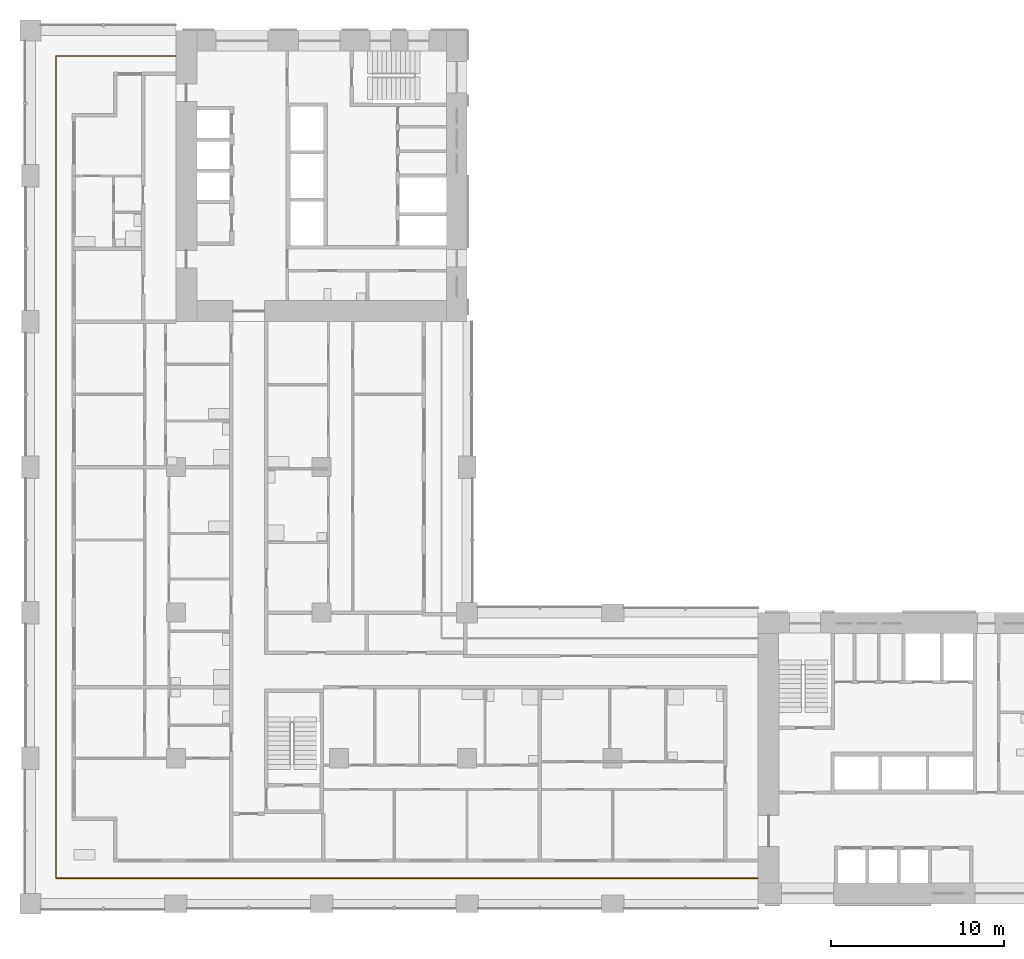
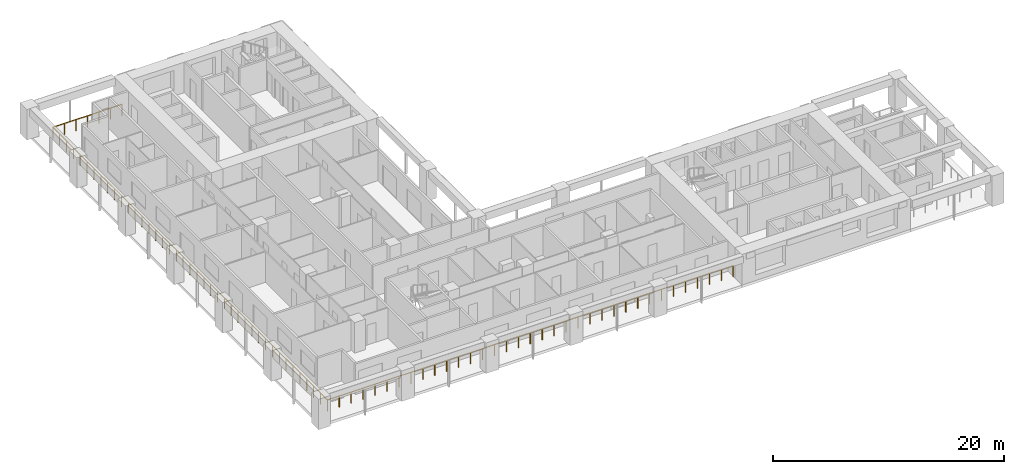
# One storey, part 10 of 17: 1 railing.
"""IFC4 building model written with IfcOpenShell, lengths in metres."""

import ifcopenshell
import ifcopenshell.guid

model = None  # the IFC model being written
_history = None  # IfcOwnerHistory: only IFC2X3 demands one
_inside = {}  # id of a spatial element -> (the spatial element, [elements in it])
_under = {}  # id of a project, library or spatial element -> (it, [spatial elements below it])
_declared = {}  # id of a project -> (the project, [libraries it declares])
_typed = {}  # id of a type object -> (the type object, [elements of that type])
_made_of = {}  # id of a material, layer set ... -> (it, [elements and type objects made of it])


def new_model(schema):
    """Start an empty IFC model of exactly this schema.

    Asked for "IFC4X3", IfcOpenShell would pick the latest addendum, in which some entities
    have other attributes; the version numbers below select the first issue.
    IFC2X3 requires an IfcOwnerHistory on every rooted entity: one is made here for all.
    """
    global model, _history
    if schema == "IFC4X3":
        model = ifcopenshell.file(schema_version=(4, 3, 0, 0))
    else:
        model = ifcopenshell.file(schema=schema)
    _inside.clear()
    _under.clear()
    _declared.clear()
    _typed.clear()
    _made_of.clear()
    _history = None
    if model.schema == "IFC2X3":
        org = make("IfcOrganization", Name="unknown")
        user = make(
            "IfcPersonAndOrganization",
            ThePerson=make("IfcPerson", FamilyName="unknown"),
            TheOrganization=org,
        )
        app = make(
            "IfcApplication",
            ApplicationDeveloper=org,
            Version="unknown",
            ApplicationFullName="unknown",
            ApplicationIdentifier="unknown",
        )
        _history = make(
            "IfcOwnerHistory",
            OwningUser=user,
            OwningApplication=app,
            ChangeAction="ADDED",
            CreationDate=0,
        )
    return model


def make(cls, **values):
    """One entity of the class cls with the attributes given. An attribute that is None is left unset."""
    return model.create_entity(
        cls, **{name: value for name, value in values.items() if value is not None}
    )


def rooted(cls, **values):
    """An entity with a GlobalId (a new one), such as an element, a storey or a relation."""
    return make(cls, GlobalId=ifcopenshell.guid.new(), OwnerHistory=_history, **values)


def si_unit(unit_type, name, prefix=None):
    """IfcSIUnit, for example si_unit("LENGTHUNIT", "METRE", prefix="MILLI")."""
    return make("IfcSIUnit", UnitType=unit_type, Prefix=prefix, Name=name)


def assignment(units):
    """IfcUnitAssignment: the units of a project."""
    return None if units is None else make("IfcUnitAssignment", Units=units)


def point(xyz):
    """IfcCartesianPoint."""
    return None if xyz is None else make("IfcCartesianPoint", Coordinates=xyz)


def direction(xyz):
    """IfcDirection."""
    return None if xyz is None else make("IfcDirection", DirectionRatios=xyz)


def frame(location, z_axis=None, x_axis=None):
    """IfcAxis2Placement3D, a coordinate frame: its origin and axes. An axis left out is left unset."""
    return make(
        "IfcAxis2Placement3D",
        Location=point(location),
        Axis=direction(z_axis),
        RefDirection=direction(x_axis),
    )


def frame_2d(location, x_axis=None):
    """IfcAxis2Placement2D, a coordinate frame in the plane: its origin and x axis."""
    return make(
        "IfcAxis2Placement2D", Location=point(location), RefDirection=direction(x_axis)
    )


def origin():
    """The frame at (0, 0, 0) with its axes left unset."""
    return frame((0.0, 0.0, 0.0))


def origin_2d():
    """The frame at (0, 0) in the plane with its x axis left unset."""
    return frame_2d((0.0, 0.0))


def place(relative_to, where):
    """IfcLocalPlacement: puts the frame where relative to a parent placement (None: the world)."""
    return make(
        "IfcLocalPlacement", PlacementRelTo=relative_to, RelativePlacement=where
    )


def context(
    kind, dimensions, precision=None, world=None, true_north=None, identifier=None
):
    """IfcGeometricRepresentationContext, for example the 3D "Model" context."""
    return make(
        "IfcGeometricRepresentationContext",
        ContextIdentifier=identifier,
        ContextType=kind,
        CoordinateSpaceDimension=dimensions,
        Precision=precision,
        WorldCoordinateSystem=world,
        TrueNorth=true_north,
    )


def subcontext(parent, identifier, kind, view, scale=None):
    """IfcGeometricRepresentationSubContext, for example "Body" below "Model"."""
    return make(
        "IfcGeometricRepresentationSubContext",
        ContextIdentifier=identifier,
        ContextType=kind,
        ParentContext=parent,
        TargetScale=scale,
        TargetView=view,
    )


def project(units=None, contexts=None):
    """IfcProject with its units and contexts."""
    return rooted(
        "IfcProject",
        Name="project",
        RepresentationContexts=contexts,
        UnitsInContext=assignment(units),
    )


def spatial(cls, under=None, at=None, **own):
    """A site, building, storey or space (cls), placed at a placement, below another one or the project."""
    s = rooted(cls, ObjectPlacement=at, **own)
    if under is not None:
        _under.setdefault(under.id(), (under, []))[1].append(s)
    return s


def profile(cls, at=None, kind="AREA", **sizes):
    """A parametric profile (cls). Its sizes go by their IFC names, for example OverallWidth=200.0."""
    return make(cls, ProfileType=kind, Position=at, **sizes)


def circle(**sizes):
    """IfcCircleProfileDef."""
    return profile("IfcCircleProfileDef", **sizes)


def extrude(swept, where, along, depth):
    """IfcExtrudedAreaSolid: the profile swept, set in the frame where, extruded along a direction by depth."""
    return make(
        "IfcExtrudedAreaSolid",
        SweptArea=swept,
        Position=where,
        ExtrudedDirection=direction(along),
        Depth=depth,
    )


def shape(context_of_items, identifier, shape_type, items):
    """IfcShapeRepresentation: the items that make up one representation, for example the "Body"."""
    return make(
        "IfcShapeRepresentation",
        ContextOfItems=context_of_items,
        RepresentationIdentifier=identifier,
        RepresentationType=shape_type,
        Items=items,
    )


def material(Name=None, Category=None):
    """IfcMaterial."""
    return make("IfcMaterial", Name=Name, Category=Category)


def made_of(thing, what):
    """Note that an element or type object is made of a material, layer set ...; save() writes the relation."""
    if what is not None:
        _made_of.setdefault(what.id(), (what, []))[1].append(thing)
    return thing


def type_object(cls, material=None, **own):
    """A type object (cls), such as IfcWallType, which elements share."""
    return made_of(rooted(cls, **own), material)


def element(
    cls,
    number,
    at=None,
    inside=None,
    cuts=None,
    type_object=None,
    material=None,
    context=None,
    identifier="Body",
    shape_type=None,
    held_by="IfcProductDefinitionShape",
    body=None,
    shapes=None,
    **own,
):
    """One element of the class cls, such as IfcWall. Its Tag is "e" and its number.

    at: its placement. inside: the storey or other place that contains it. cuts: it is an
    opening in that element (IfcRelVoidsElement). A single representation is given by context,
    identifier, shape_type and body (its items); several are given by shapes. held_by: the class
    of the entity that holds the representations. save() writes the other relations.
    """
    e = rooted(cls, Tag="e%d" % number, ObjectPlacement=at, **own)
    if body is not None:
        shapes = [shape(context, identifier, shape_type, body)]
    if shapes is not None:
        e.Representation = make(held_by, Representations=shapes)
    if inside is not None:
        _inside.setdefault(inside.id(), (inside, []))[1].append(e)
    if cuts is not None:
        rooted(
            "IfcRelVoidsElement", RelatingBuildingElement=cuts, RelatedOpeningElement=e
        )
    if type_object is not None:
        _typed.setdefault(type_object.id(), (type_object, []))[1].append(e)
    return made_of(e, material)


def aggregate(whole, parts):
    """IfcRelAggregates: a whole, such as a stair, and the parts it consists of."""
    return rooted("IfcRelAggregates", RelatingObject=whole, RelatedObjects=parts)


def save(model, path):
    """Write the relations noted so far, then the file.

    IfcRelAggregates (storeys below a building ...), IfcRelContainedInSpatialStructure (elements
    in a storey), IfcRelDefinesByType, IfcRelAssociatesMaterial and IfcRelDeclares: one each for
    every whole, place, type object, material and project.
    """
    for whole, parts in _under.values():
        aggregate(whole, parts)
    for where, things in _inside.values():
        rooted(
            "IfcRelContainedInSpatialStructure",
            RelatedElements=things,
            RelatingStructure=where,
        )
    for kind, things in _typed.values():
        rooted("IfcRelDefinesByType", RelatedObjects=things, RelatingType=kind)
    for what, things in _made_of.values():
        rooted("IfcRelAssociatesMaterial", RelatedObjects=things, RelatingMaterial=what)
    for by, libraries in _declared.values():
        rooted("IfcRelDeclares", RelatingContext=by, RelatedDefinitions=libraries)
    model.write(path)


model = new_model("IFC4")

# Units and contexts
model_context = context("Model", 3, precision=1e-05, world=origin(), true_north=direction((0.0, 1.0)))
body_context = subcontext(model_context, "Body", "Model", "MODEL_VIEW")
ifc_project = project(units=[si_unit("LENGTHUNIT", "METRE"), si_unit("AREAUNIT", "SQUARE_METRE"), si_unit("VOLUMEUNIT", "CUBIC_METRE"), si_unit("PLANEANGLEUNIT", "RADIAN"), si_unit("MASSUNIT", "GRAM", prefix="KILO")], contexts=[model_context])

# Site, building, storey
site_placement = place(None, origin())
site = spatial("IfcSite", under=ifc_project, at=site_placement, CompositionType="ELEMENT")
building_placement = place(site_placement, origin())
building = spatial("IfcBuilding", under=site, at=building_placement, Name="Vermilion Gate Residences", CompositionType="ELEMENT")
storey_placement = place(building_placement, frame((0.0, 0.0, 116.199951171875)))
storey = spatial("IfcBuildingStorey", under=building, at=storey_placement, Name="L29", CompositionType="ELEMENT", Elevation=116.199951171875)

# Railing
ifc_material = material(Name="Stainless steel and toughened glass", Category="steel")
railing_type = type_object("IfcRailingType", Name="LOGGIA GUARD STEEL AND GLASS 1200", PredefinedType="GUARDRAIL", material=ifc_material)
railing_placement = place(storey_placement, frame((8.3779296875, 57.324951171875, 0.0)))
element("IfcRailing", 1, at=railing_placement, inside=storey, type_object=railing_type, Name="Loggia guard", PredefinedType="GUARDRAIL", context=body_context, shape_type="SweptSolid", body=[
    extrude(circle(Radius=0.030029296875, at=origin_2d()), frame((0.0, 0.0, 1.169921875), z_axis=(-1.0, 0.0, 0.0), x_axis=(0.0, -1.0, 0.0)), (0.0, 0.0, 1.0), 6.90283203125),
    extrude(circle(Radius=0.030029296875, at=origin_2d()), frame((-6.90283203125, 0.0, 1.169921875), z_axis=(0.0, -1.0, 0.0), x_axis=(1.0, 0.0, 0.0)), (0.0, 0.0, 1.0), 47.449951171875),
    extrude(circle(Radius=0.030029296875, at=origin_2d()), frame((-6.90283203125, -47.449951171875, 1.169921875), z_axis=(1.0, 0.0, 0.0), x_axis=(0.0, 1.0, 0.0)), (0.0, 0.0, 1.0), 40.5029296875),
    extrude(circle(Radius=0.02490234375, at=origin_2d()), origin(), (0.0, 0.0, 1.0), 1.139892578125),
    extrude(circle(Radius=0.02490234375, at=origin_2d()), frame((-1.150390625, 0.0, 0.0)), (0.0, 0.0, 1.0), 1.139892578125),
    extrude(circle(Radius=0.02490234375, at=origin_2d()), frame((-2.301025390625, 0.0, 0.0)), (0.0, 0.0, 1.0), 1.139892578125),
    extrude(circle(Radius=0.02490234375, at=origin_2d()), frame((-3.451416015625, 0.0, 0.0)), (0.0, 0.0, 1.0), 1.139892578125),
    extrude(circle(Radius=0.02490234375, at=origin_2d()), frame((-4.601806640625, 0.0, 0.0)), (0.0, 0.0, 1.0), 1.139892578125),
    extrude(circle(Radius=0.02490234375, at=origin_2d()), frame((-5.75244140625, 0.0, 0.0)), (0.0, 0.0, 1.0), 1.139892578125),
    extrude(circle(Radius=0.02490234375, at=origin_2d()), frame((-6.90283203125, 0.0, 0.0)), (0.0, 0.0, 1.0), 1.139892578125),
    extrude(circle(Radius=0.02490234375, at=origin_2d()), frame((-6.90283203125, -1.186279296875, 0.0)), (0.0, 0.0, 1.0), 1.139892578125),
    extrude(circle(Radius=0.02490234375, at=origin_2d()), frame((-6.90283203125, -2.37255859375, 0.0)), (0.0, 0.0, 1.0), 1.139892578125),
    extrude(circle(Radius=0.02490234375, at=origin_2d()), frame((-6.90283203125, -3.558837890625, 0.0)), (0.0, 0.0, 1.0), 1.139892578125),
    extrude(circle(Radius=0.02490234375, at=origin_2d()), frame((-6.90283203125, -4.7451171875, 0.0)), (0.0, 0.0, 1.0), 1.139892578125),
    extrude(circle(Radius=0.02490234375, at=origin_2d()), frame((-6.90283203125, -5.93115234375, 0.0)), (0.0, 0.0, 1.0), 1.139892578125),
    extrude(circle(Radius=0.02490234375, at=origin_2d()), frame((-6.90283203125, -7.117431640625, 0.0)), (0.0, 0.0, 1.0), 1.139892578125),
    extrude(circle(Radius=0.02490234375, at=origin_2d()), frame((-6.90283203125, -8.3037109375, 0.0)), (0.0, 0.0, 1.0), 1.139892578125),
    extrude(circle(Radius=0.02490234375, at=origin_2d()), frame((-6.90283203125, -9.489990234375, 0.0)), (0.0, 0.0, 1.0), 1.139892578125),
    extrude(circle(Radius=0.02490234375, at=origin_2d()), frame((-6.90283203125, -10.67626953125, 0.0)), (0.0, 0.0, 1.0), 1.139892578125),
    extrude(circle(Radius=0.02490234375, at=origin_2d()), frame((-6.90283203125, -11.862548828125, 0.0)), (0.0, 0.0, 1.0), 1.139892578125),
    extrude(circle(Radius=0.02490234375, at=origin_2d()), frame((-6.90283203125, -13.048828125, 0.0)), (0.0, 0.0, 1.0), 1.139892578125),
    extrude(circle(Radius=0.02490234375, at=origin_2d()), frame((-6.90283203125, -14.23486328125, 0.0)), (0.0, 0.0, 1.0), 1.139892578125),
    extrude(circle(Radius=0.02490234375, at=origin_2d()), frame((-6.90283203125, -15.421142578125, 0.0)), (0.0, 0.0, 1.0), 1.139892578125),
    extrude(circle(Radius=0.02490234375, at=origin_2d()), frame((-6.90283203125, -16.607421875, 0.0)), (0.0, 0.0, 1.0), 1.139892578125),
    extrude(circle(Radius=0.02490234375, at=origin_2d()), frame((-6.90283203125, -17.793701171875, 0.0)), (0.0, 0.0, 1.0), 1.139892578125),
    extrude(circle(Radius=0.02490234375, at=origin_2d()), frame((-6.90283203125, -18.97998046875, 0.0)), (0.0, 0.0, 1.0), 1.139892578125),
    extrude(circle(Radius=0.02490234375, at=origin_2d()), frame((-6.90283203125, -20.166259765625, 0.0)), (0.0, 0.0, 1.0), 1.139892578125),
    extrude(circle(Radius=0.02490234375, at=origin_2d()), frame((-6.90283203125, -21.3525390625, 0.0)), (0.0, 0.0, 1.0), 1.139892578125),
    extrude(circle(Radius=0.02490234375, at=origin_2d()), frame((-6.90283203125, -22.538818359375, 0.0)), (0.0, 0.0, 1.0), 1.139892578125),
    extrude(circle(Radius=0.02490234375, at=origin_2d()), frame((-6.90283203125, -23.72509765625, 0.0)), (0.0, 0.0, 1.0), 1.139892578125),
    extrude(circle(Radius=0.02490234375, at=origin_2d()), frame((-6.90283203125, -24.9111328125, 0.0)), (0.0, 0.0, 1.0), 1.139892578125),
    extrude(circle(Radius=0.02490234375, at=origin_2d()), frame((-6.90283203125, -26.097412109375, 0.0)), (0.0, 0.0, 1.0), 1.139892578125),
    extrude(circle(Radius=0.02490234375, at=origin_2d()), frame((-6.90283203125, -27.28369140625, 0.0)), (0.0, 0.0, 1.0), 1.139892578125),
    extrude(circle(Radius=0.02490234375, at=origin_2d()), frame((-6.90283203125, -28.469970703125, 0.0)), (0.0, 0.0, 1.0), 1.139892578125),
    extrude(circle(Radius=0.02490234375, at=origin_2d()), frame((-6.90283203125, -29.65625, 0.0)), (0.0, 0.0, 1.0), 1.139892578125),
    extrude(circle(Radius=0.02490234375, at=origin_2d()), frame((-6.90283203125, -30.842529296875, 0.0)), (0.0, 0.0, 1.0), 1.139892578125),
    extrude(circle(Radius=0.02490234375, at=origin_2d()), frame((-6.90283203125, -32.02880859375, 0.0)), (0.0, 0.0, 1.0), 1.139892578125),
    extrude(circle(Radius=0.02490234375, at=origin_2d()), frame((-6.90283203125, -33.21484375, 0.0)), (0.0, 0.0, 1.0), 1.139892578125),
    extrude(circle(Radius=0.02490234375, at=origin_2d()), frame((-6.90283203125, -34.401123046875, 0.0)), (0.0, 0.0, 1.0), 1.139892578125),
    extrude(circle(Radius=0.02490234375, at=origin_2d()), frame((-6.90283203125, -35.58740234375, 0.0)), (0.0, 0.0, 1.0), 1.139892578125),
    extrude(circle(Radius=0.02490234375, at=origin_2d()), frame((-6.90283203125, -36.773681640625, 0.0)), (0.0, 0.0, 1.0), 1.139892578125),
    extrude(circle(Radius=0.02490234375, at=origin_2d()), frame((-6.90283203125, -37.9599609375, 0.0)), (0.0, 0.0, 1.0), 1.139892578125),
    extrude(circle(Radius=0.02490234375, at=origin_2d()), frame((-6.90283203125, -39.146240234375, 0.0)), (0.0, 0.0, 1.0), 1.139892578125),
    extrude(circle(Radius=0.02490234375, at=origin_2d()), frame((-6.90283203125, -40.33251953125, 0.0)), (0.0, 0.0, 1.0), 1.139892578125),
    extrude(circle(Radius=0.02490234375, at=origin_2d()), frame((-6.90283203125, -41.518798828125, 0.0)), (0.0, 0.0, 1.0), 1.139892578125),
    extrude(circle(Radius=0.02490234375, at=origin_2d()), frame((-6.90283203125, -42.705078125, 0.0)), (0.0, 0.0, 1.0), 1.139892578125),
    extrude(circle(Radius=0.02490234375, at=origin_2d()), frame((-6.90283203125, -43.89111328125, 0.0)), (0.0, 0.0, 1.0), 1.139892578125),
    extrude(circle(Radius=0.02490234375, at=origin_2d()), frame((-6.90283203125, -45.077392578125, 0.0)), (0.0, 0.0, 1.0), 1.139892578125),
    extrude(circle(Radius=0.02490234375, at=origin_2d()), frame((-6.90283203125, -46.263671875, 0.0)), (0.0, 0.0, 1.0), 1.139892578125),
    extrude(circle(Radius=0.02490234375, at=origin_2d()), frame((-6.90283203125, -47.449951171875, 0.0)), (0.0, 0.0, 1.0), 1.139892578125),
    extrude(circle(Radius=0.02490234375, at=origin_2d()), frame((-5.711669921875, -47.449951171875, 0.0)), (0.0, 0.0, 1.0), 1.139892578125),
    extrude(circle(Radius=0.02490234375, at=origin_2d()), frame((-4.520263671875, -47.449951171875, 0.0)), (0.0, 0.0, 1.0), 1.139892578125),
    extrude(circle(Radius=0.02490234375, at=origin_2d()), frame((-3.3291015625, -47.449951171875, 0.0)), (0.0, 0.0, 1.0), 1.139892578125),
    extrude(circle(Radius=0.02490234375, at=origin_2d()), frame((-2.1376953125, -47.449951171875, 0.0)), (0.0, 0.0, 1.0), 1.139892578125),
    extrude(circle(Radius=0.02490234375, at=origin_2d()), frame((-0.946533203125, -47.449951171875, 0.0)), (0.0, 0.0, 1.0), 1.139892578125),
    extrude(circle(Radius=0.02490234375, at=origin_2d()), frame((0.24462890625, -47.449951171875, 0.0)), (0.0, 0.0, 1.0), 1.139892578125),
    extrude(circle(Radius=0.02490234375, at=origin_2d()), frame((1.43603515625, -47.449951171875, 0.0)), (0.0, 0.0, 1.0), 1.139892578125),
    extrude(circle(Radius=0.02490234375, at=origin_2d()), frame((2.627197265625, -47.449951171875, 0.0)), (0.0, 0.0, 1.0), 1.139892578125),
    extrude(circle(Radius=0.02490234375, at=origin_2d()), frame((3.818603515625, -47.449951171875, 0.0)), (0.0, 0.0, 1.0), 1.139892578125),
    extrude(circle(Radius=0.02490234375, at=origin_2d()), frame((5.009765625, -47.449951171875, 0.0)), (0.0, 0.0, 1.0), 1.139892578125),
    extrude(circle(Radius=0.02490234375, at=origin_2d()), frame((6.201171875, -47.449951171875, 0.0)), (0.0, 0.0, 1.0), 1.139892578125),
    extrude(circle(Radius=0.02490234375, at=origin_2d()), frame((7.392333984375, -47.449951171875, 0.0)), (0.0, 0.0, 1.0), 1.139892578125),
    extrude(circle(Radius=0.02490234375, at=origin_2d()), frame((8.58349609375, -47.449951171875, 0.0)), (0.0, 0.0, 1.0), 1.139892578125),
    extrude(circle(Radius=0.02490234375, at=origin_2d()), frame((9.77490234375, -47.449951171875, 0.0)), (0.0, 0.0, 1.0), 1.139892578125),
    extrude(circle(Radius=0.02490234375, at=origin_2d()), frame((10.966064453125, -47.449951171875, 0.0)), (0.0, 0.0, 1.0), 1.139892578125),
    extrude(circle(Radius=0.02490234375, at=origin_2d()), frame((12.157470703125, -47.449951171875, 0.0)), (0.0, 0.0, 1.0), 1.139892578125),
    extrude(circle(Radius=0.02490234375, at=origin_2d()), frame((13.3486328125, -47.449951171875, 0.0)), (0.0, 0.0, 1.0), 1.139892578125),
    extrude(circle(Radius=0.02490234375, at=origin_2d()), frame((14.539794921875, -47.449951171875, 0.0)), (0.0, 0.0, 1.0), 1.139892578125),
    extrude(circle(Radius=0.02490234375, at=origin_2d()), frame((15.731201171875, -47.449951171875, 0.0)), (0.0, 0.0, 1.0), 1.139892578125),
    extrude(circle(Radius=0.02490234375, at=origin_2d()), frame((16.92236328125, -47.449951171875, 0.0)), (0.0, 0.0, 1.0), 1.139892578125),
    extrude(circle(Radius=0.02490234375, at=origin_2d()), frame((18.11376953125, -47.449951171875, 0.0)), (0.0, 0.0, 1.0), 1.139892578125),
    extrude(circle(Radius=0.02490234375, at=origin_2d()), frame((19.304931640625, -47.449951171875, 0.0)), (0.0, 0.0, 1.0), 1.139892578125),
    extrude(circle(Radius=0.02490234375, at=origin_2d()), frame((20.49609375, -47.449951171875, 0.0)), (0.0, 0.0, 1.0), 1.139892578125),
    extrude(circle(Radius=0.02490234375, at=origin_2d()), frame((21.6875, -47.449951171875, 0.0)), (0.0, 0.0, 1.0), 1.139892578125),
    extrude(circle(Radius=0.02490234375, at=origin_2d()), frame((22.878662109375, -47.449951171875, 0.0)), (0.0, 0.0, 1.0), 1.139892578125),
    extrude(circle(Radius=0.02490234375, at=origin_2d()), frame((24.070068359375, -47.449951171875, 0.0)), (0.0, 0.0, 1.0), 1.139892578125),
    extrude(circle(Radius=0.02490234375, at=origin_2d()), frame((25.26123046875, -47.449951171875, 0.0)), (0.0, 0.0, 1.0), 1.139892578125),
    extrude(circle(Radius=0.02490234375, at=origin_2d()), frame((26.45263671875, -47.449951171875, 0.0)), (0.0, 0.0, 1.0), 1.139892578125),
    extrude(circle(Radius=0.02490234375, at=origin_2d()), frame((27.643798828125, -47.449951171875, 0.0)), (0.0, 0.0, 1.0), 1.139892578125),
    extrude(circle(Radius=0.02490234375, at=origin_2d()), frame((28.8349609375, -47.449951171875, 0.0)), (0.0, 0.0, 1.0), 1.139892578125),
    extrude(circle(Radius=0.02490234375, at=origin_2d()), frame((30.0263671875, -47.449951171875, 0.0)), (0.0, 0.0, 1.0), 1.139892578125),
    extrude(circle(Radius=0.02490234375, at=origin_2d()), frame((31.217529296875, -47.449951171875, 0.0)), (0.0, 0.0, 1.0), 1.139892578125),
    extrude(circle(Radius=0.02490234375, at=origin_2d()), frame((32.408935546875, -47.449951171875, 0.0)), (0.0, 0.0, 1.0), 1.139892578125),
    extrude(circle(Radius=0.02490234375, at=origin_2d()), frame((33.60009765625, -47.449951171875, 0.0)), (0.0, 0.0, 1.0), 1.139892578125),
])

save(model, "model.ifc")
